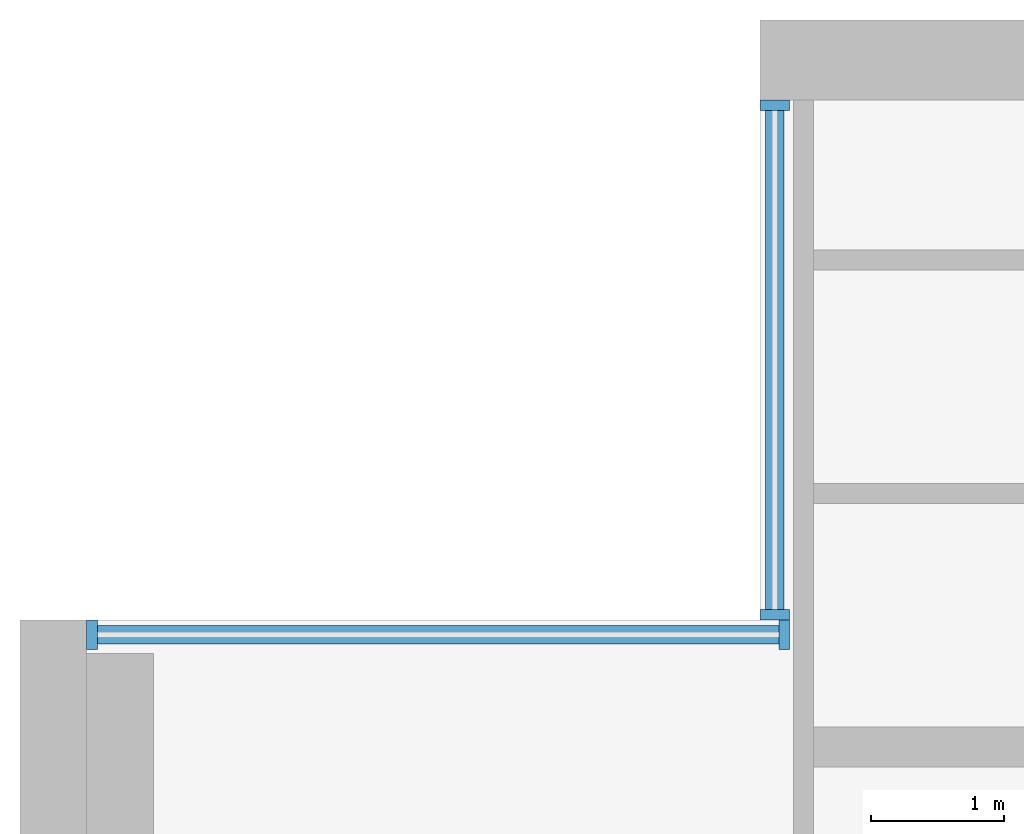
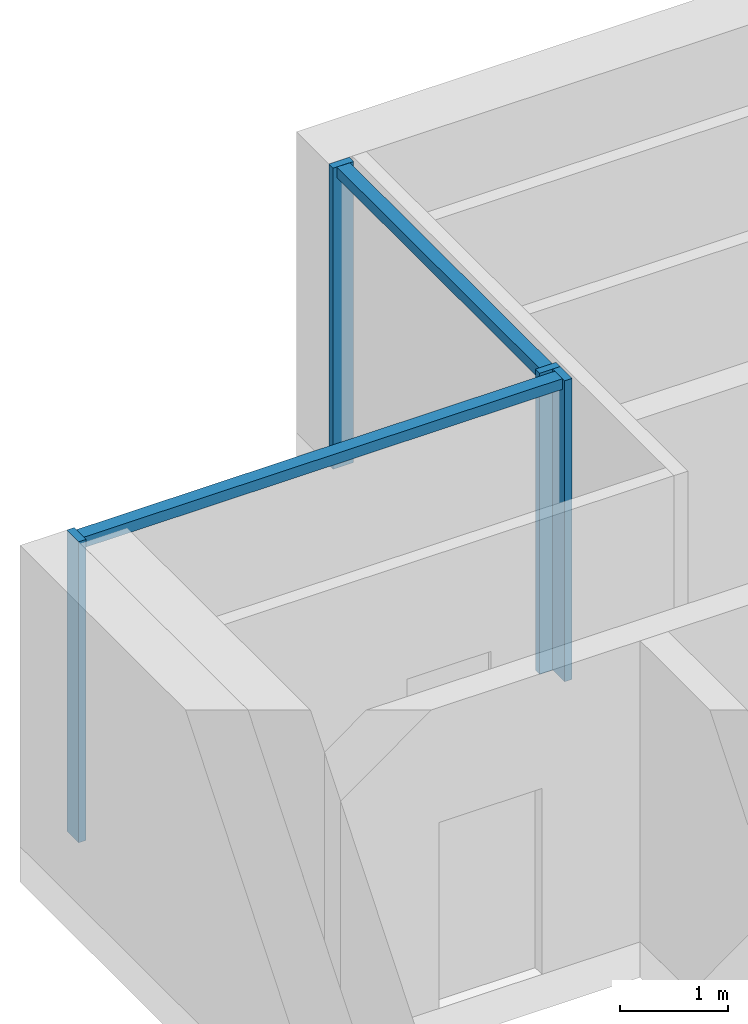
# One storey, part 4 of 14: 6 members, 2 elements without a shape of their own.
"""IFC4 building model written with IfcOpenShell, lengths in metres."""

from ifc_helpers import new_model, si_unit, direction, frame, origin, origin_2d, place, context, subcontext, project, spatial, rectangle, extrude, material, material_profile, profile_set, type_object, element, aggregate, save


model = new_model("IFC4")

# Units and contexts
model_context = context("Model", 3, precision=1e-05, world=origin(), true_north=direction((0.0, 1.0)))
body_context = subcontext(model_context, "Body", "Model", "MODEL_VIEW")
ifc_project = project(units=[si_unit("LENGTHUNIT", "METRE"), si_unit("AREAUNIT", "SQUARE_METRE"), si_unit("VOLUMEUNIT", "CUBIC_METRE"), si_unit("PLANEANGLEUNIT", "RADIAN"), si_unit("MASSUNIT", "GRAM", prefix="KILO")], contexts=[model_context])

# Site, building, storey
site_placement = place(None, origin())
site = spatial("IfcSite", under=ifc_project, at=site_placement, CompositionType="ELEMENT")
building_placement = place(site_placement, origin())
building = spatial("IfcBuilding", under=site, at=building_placement, Name="Calvaro Tower", CompositionType="ELEMENT")
storey_placement = place(building_placement, frame((0.0, 0.0, 258.35009765625)))
storey = spatial("IfcBuildingStorey", under=building, at=storey_placement, Name="L65", CompositionType="ELEMENT", Elevation=258.35009765625)

# Curtain wall, members
ifc_material_1 = material(Name="Anodised aluminium", Category="aluminium")
curtain_wall_type = type_object("IfcCurtainWallType", Name="Executive curtain wall", PredefinedType="NOTDEFINED", material=ifc_material_1)
curtain_wall_1_placement = place(storey_placement, origin())
curtain_wall_1 = element("IfcCurtainWall", 1, at=curtain_wall_1_placement, inside=storey, type_object=curtain_wall_type, Name="CW4 corner curtain wall", PredefinedType="NOTDEFINED")
ifc_material_2 = material(Name="Anodised aluminium", Category="aluminium")
ifc_material_profile_1 = material_profile(ifc_material_2, rectangle(XDim=0.219970703125, YDim=0.080078125, at=origin_2d()), Name="Mullion S4 80 x 220")
ifc_profile_set_1 = profile_set([ifc_material_profile_1], Name="Anodised aluminium")
member_type_1 = type_object("IfcMemberType", Name="Mullion S4 80 x 220", PredefinedType="MULLION", material=ifc_profile_set_1)
member_1_placement = place(storey_placement, frame((11.659912109375, 41.5400390625, 0.0), z_axis=(0.0, 0.0, 1.0), x_axis=(-1.0, 0.0, 0.0)))
member_1 = element("IfcMember", 2, at=member_1_placement, type_object=member_type_1, Name="CW4 mullion 1", PredefinedType="MULLION", context=body_context, shape_type="SweptSolid", body=[
    extrude(rectangle(XDim=0.219970703125, YDim=0.080078125, at=origin_2d()), origin(), (0.0, 0.0, 1.0), 3.39990234375),
])
member_2_placement = place(storey_placement, frame((11.659912109375, 45.360107421875, 0.0), z_axis=(0.0, 0.0, 1.0), x_axis=(-1.0, 0.0, 0.0)))
member_2 = element("IfcMember", 3, at=member_2_placement, type_object=member_type_1, Name="CW4 mullion 2", PredefinedType="MULLION", context=body_context, shape_type="SweptSolid", body=[
    extrude(rectangle(XDim=0.219970703125, YDim=0.080078125, at=origin_2d()), origin(), (0.0, 0.0, 1.0), 3.39990234375),
])

curtain_wall_2_placement = place(storey_placement, origin())
curtain_wall_2 = element("IfcCurtainWall", 4, at=curtain_wall_2_placement, inside=storey, type_object=curtain_wall_type, Name="CW4 corner curtain wall", PredefinedType="NOTDEFINED")
member_3_placement = place(storey_placement, frame((6.5400390625, 41.389892578125, 0.0), z_axis=(0.0, 0.0, 1.0), x_axis=(0.0, 1.0, 0.0)))
member_3 = element("IfcMember", 5, at=member_3_placement, type_object=member_type_1, Name="CW4 mullion 1", PredefinedType="MULLION", context=body_context, shape_type="SweptSolid", body=[
    extrude(rectangle(XDim=0.219970703125, YDim=0.080078125, at=origin_2d()), origin(), (0.0, 0.0, 1.0), 3.39990234375),
])
member_4_placement = place(storey_placement, frame((11.72998046875, 41.389892578125, 0.0), z_axis=(0.0, 0.0, 1.0), x_axis=(0.0, 1.0, 0.0)))
member_4 = element("IfcMember", 6, at=member_4_placement, type_object=member_type_1, Name="CW4 mullion 2", PredefinedType="MULLION", context=body_context, shape_type="SweptSolid", body=[
    extrude(rectangle(XDim=0.219970703125, YDim=0.080078125, at=origin_2d()), origin(), (0.0, 0.0, 1.0), 3.39990234375),
])

# Member
ifc_material_3 = material(Name="Anodised aluminium", Category="aluminium")
ifc_material_profile_2 = material_profile(ifc_material_3, rectangle(XDim=0.139892578125, YDim=0.1201171875, at=origin_2d()), Name="Transom S4 120 x 140")
ifc_profile_set_2 = profile_set([ifc_material_profile_2], Name="Anodised aluminium")
member_type_2 = type_object("IfcMemberType", Name="Transom S4 120 x 140", PredefinedType="USERDEFINED", material=ifc_profile_set_2)
member_5_placement = place(storey_placement, frame((11.659912109375, 41.580078125, 3.33984375), z_axis=(0.0, 1.0, 0.0), x_axis=(-1.0, 0.0, 0.0)))
member_5 = element("IfcMember", 7, at=member_5_placement, type_object=member_type_2, Name="CW4 transom 1.1", ObjectType="TRANSOM", PredefinedType="USERDEFINED", context=body_context, shape_type="SweptSolid", body=[
    extrude(rectangle(XDim=0.139892578125, YDim=0.1201171875, at=origin_2d()), origin(), (0.0, 0.0, 1.0), 3.739990234375),
])

aggregate(curtain_wall_1, [member_1, member_2, member_5])

member_6_placement = place(storey_placement, frame((6.580078125, 41.389892578125, 3.33984375), z_axis=(1.0, 0.0, 0.0), x_axis=(0.0, 1.0, 0.0)))
member_6 = element("IfcMember", 8, at=member_6_placement, type_object=member_type_2, Name="CW4 transom 1.1", ObjectType="TRANSOM", PredefinedType="USERDEFINED", context=body_context, shape_type="SweptSolid", body=[
    extrude(rectangle(XDim=0.139892578125, YDim=0.1201171875, at=origin_2d()), origin(), (0.0, 0.0, 1.0), 5.10986328125),
])

aggregate(curtain_wall_2, [member_3, member_4, member_6])

save(model, "model.ifc")
